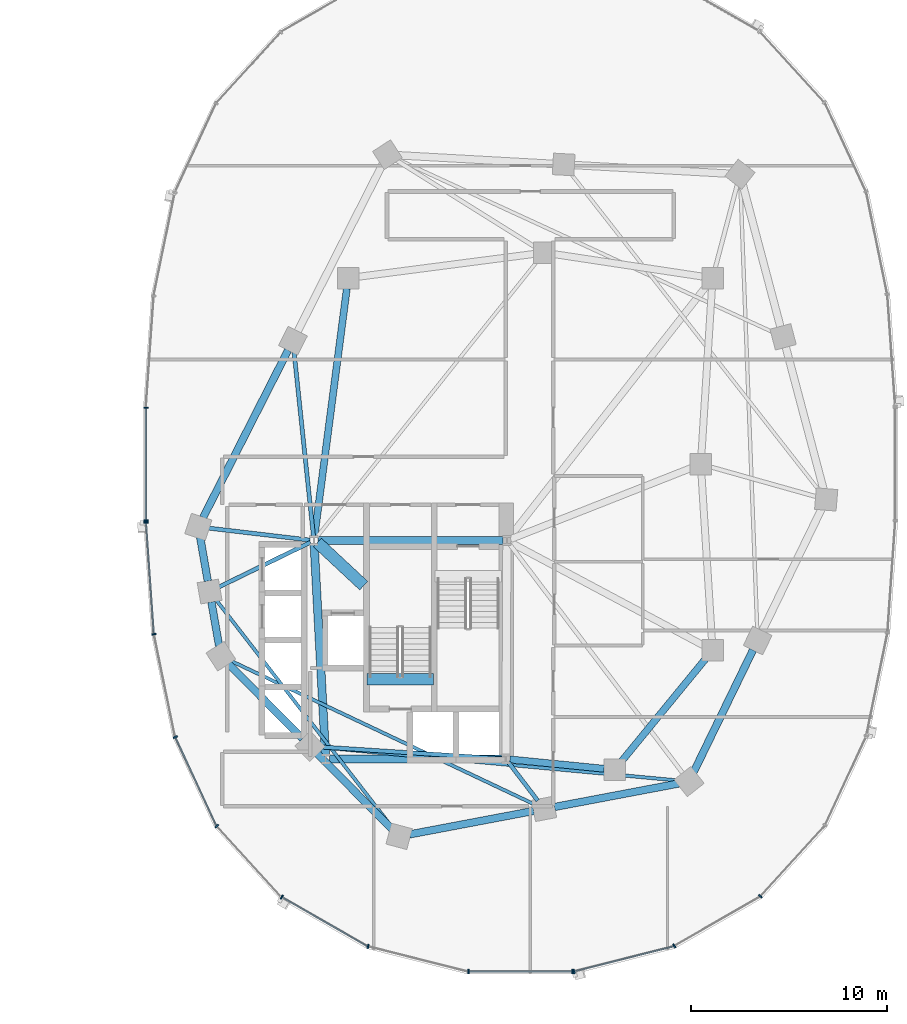
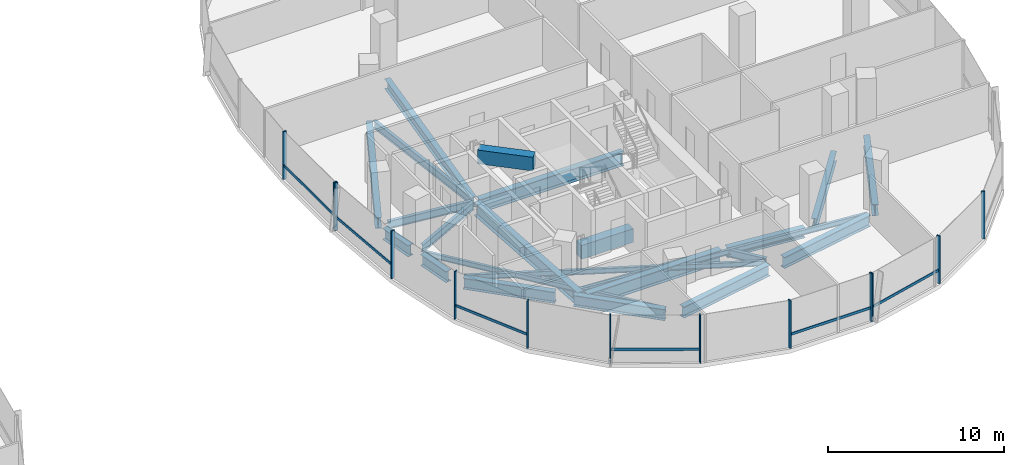
# One storey, part 5 of 21: 24 beams, 19 members, 3 elements without a shape of their own.
"""IFC4 building model written with IfcOpenShell, lengths in metres."""

from ifc_helpers import new_model, si_unit, direction, frame, origin, origin_2d, place, context, subcontext, project, spatial, rectangle, i_section, extrude, material, material_profile, profile_set, type_object, element, aggregate, save


model = new_model("IFC4")

# Units and contexts
model_context = context("Model", 3, precision=1e-05, world=origin(), true_north=direction((0.0, 1.0)))
body_context = subcontext(model_context, "Body", "Model", "MODEL_VIEW")
ifc_project = project(units=[si_unit("LENGTHUNIT", "METRE"), si_unit("AREAUNIT", "SQUARE_METRE"), si_unit("VOLUMEUNIT", "CUBIC_METRE"), si_unit("PLANEANGLEUNIT", "RADIAN"), si_unit("MASSUNIT", "GRAM", prefix="KILO"), si_unit("THERMODYNAMICTEMPERATUREUNIT", "KELVIN"), si_unit("POWERUNIT", "WATT")], contexts=[model_context])

# Site, building, storey
site_placement = place(None, origin())
site = spatial("IfcSite", under=ifc_project, at=site_placement, CompositionType="ELEMENT")
building_placement = place(site_placement, origin())
building = spatial("IfcBuilding", under=site, at=building_placement, Name="Cundina Bronze Exchange", CompositionType="ELEMENT")
storey_placement = place(building_placement, frame((0.0, 0.0, 117.800048828125)))
storey = spatial("IfcBuildingStorey", under=building, at=storey_placement, Name="L30", CompositionType="ELEMENT", Elevation=117.800048828125)

# Beams
ifc_material_1 = material(Name="Concrete C60/75", Category="concrete")
ifc_material_profile_1 = material_profile(ifc_material_1, rectangle(XDim=0.60009765625, YDim=0.949951171875, at=origin_2d()), Name="RC600X950", Category="concrete")
ifc_profile_set_1 = profile_set([ifc_material_profile_1], Name="Concrete C60/75")
beam_type_1 = type_object("IfcBeamType", Name="BM-COUP-RC950", PredefinedType="LINTEL", material=ifc_profile_set_1)
beam_1_placement = place(storey_placement, frame((24.159912109375, -10.97998046875, -0.47509765625), z_axis=(1.0, 0.0, 0.0), x_axis=(0.0, 1.0, 0.0)))
element("IfcBeam", 1, at=beam_1_placement, inside=storey, type_object=beam_type_1, Name="L30 Stair E2 Landing Header Beam", PredefinedType="LINTEL", context=body_context, shape_type="SweptSolid", body=[
    extrude(rectangle(XDim=0.60009765625, YDim=0.949951171875, at=origin_2d()), origin(), (0.0, 0.0, 1.0), 3.400146484375),
])
beam_2_placement = place(storey_placement, frame((21.6298828125, -4.0, 2.824951171875), z_axis=(0.731490439815, -0.681851696822, 0.0), x_axis=(0.681851696822, 0.731490439815, 0.0)))
element("IfcBeam", 2, at=beam_2_placement, inside=storey, type_object=beam_type_1, Name="L30 E Core Shear Coupling Lintel Beam", PredefinedType="LINTEL", context=body_context, shape_type="SweptSolid", body=[
    extrude(rectangle(XDim=0.60009765625, YDim=0.949951171875, at=origin_2d()), origin(), (0.0, 0.0, 1.0), 3.226318359375),
])
ifc_material_2 = material(Name="Steel ASTM A992 Grade 50", Category="steel")
ifc_material_profile_2 = material_profile(ifc_material_2, i_section(OverallWidth=0.2099609375, OverallDepth=0.532958984375, WebThickness=0.01025390625, FlangeThickness=0.015625, FilletRadius=0.013916015625, at=origin_2d()), Name="W21X62", Category="steel")
ifc_profile_set_2 = profile_set([ifc_material_profile_2], Name="Steel ASTM A992 Grade 50")
beam_type_2 = type_object("IfcBeamType", Name="BM-FLR-W21B", PredefinedType="BEAM", material=ifc_profile_set_2)
beam_3_placement = place(storey_placement, frame((21.247314453125, -3.8759765625, -0.566650390625), z_axis=(-0.993035701683, 0.117813815752, 0.0), x_axis=(-0.117813815752, -0.993035701683, 0.0)))
element("IfcBeam", 3, at=beam_3_placement, inside=storey, type_object=beam_type_2, Name="L30 Leg E Chordal Floor Beam 00", PredefinedType="BEAM", context=body_context, shape_type="SweptSolid", body=[
    extrude(i_section(OverallWidth=0.2099609375, OverallDepth=0.532958984375, WebThickness=0.01025390625, FlangeThickness=0.015625, FilletRadius=0.013916015625, at=origin_2d()), origin(), (0.0, 0.0, 1.0), 5.19921875),
])
beam_4_placement = place(storey_placement, frame((21.2666015625, -3.989501953125, -0.566650390625), z_axis=(-0.898607246385, -0.438753936443, 0.0), x_axis=(0.438753936443, -0.898607246385, 0.0)))
element("IfcBeam", 4, at=beam_4_placement, inside=storey, type_object=beam_type_2, Name="L30 Leg E Chordal Floor Beam 01", PredefinedType="BEAM", context=body_context, shape_type="SweptSolid", body=[
    extrude(i_section(OverallWidth=0.2099609375, OverallDepth=0.532958984375, WebThickness=0.01025390625, FlangeThickness=0.015625, FilletRadius=0.013916015625, at=origin_2d()), origin(), (0.0, 0.0, 1.0), 5.183837890625),
])
beam_5_placement = place(storey_placement, frame((31.04638671875, -15.036865234375, -0.566650390625), z_axis=(-0.997892901568, 0.064882640211, 0.0), x_axis=(-0.064882640211, -0.997892901568, 0.0)))
element("IfcBeam", 5, at=beam_5_placement, inside=storey, type_object=beam_type_2, Name="L30 Leg E Chordal Floor Beam 03", PredefinedType="BEAM", context=body_context, shape_type="SweptSolid", body=[
    extrude(i_section(OverallWidth=0.2099609375, OverallDepth=0.532958984375, WebThickness=0.01025390625, FlangeThickness=0.015625, FilletRadius=0.013916015625, at=origin_2d()), origin(), (0.0, 0.0, 1.0), 9.279052734375),
])
beam_6_placement = place(storey_placement, frame((31.373779296875, -15.2119140625, -0.566650390625), z_axis=(0.607490490457, -0.79432695032, 0.0), x_axis=(0.79432695032, 0.607490490457, 0.0)))
element("IfcBeam", 6, at=beam_6_placement, inside=storey, type_object=beam_type_2, Name="L30 Leg E Chordal Floor Beam 05", PredefinedType="BEAM", context=body_context, shape_type="SweptSolid", body=[
    extrude(i_section(OverallWidth=0.2099609375, OverallDepth=0.532958984375, WebThickness=0.01025390625, FlangeThickness=0.015625, FilletRadius=0.013916015625, at=origin_2d()), origin(), (0.0, 0.0, 1.0), 2.46826171875),
])
beam_7_placement = place(storey_placement, frame((21.4287109375, -3.697021484375, -0.566650390625), z_axis=(-0.104822364957, 0.994490961148, 0.0), x_axis=(-0.994490961148, -0.104822364957, 0.0)))
element("IfcBeam", 7, at=beam_7_placement, inside=storey, type_object=beam_type_2, Name="L30 Leg E Chordal Floor Beam 13", PredefinedType="BEAM", context=body_context, shape_type="SweptSolid", body=[
    extrude(i_section(OverallWidth=0.2099609375, OverallDepth=0.532958984375, WebThickness=0.01025390625, FlangeThickness=0.015625, FilletRadius=0.013916015625, at=origin_2d()), origin(), (0.0, 0.0, 1.0), 9.514404296875),
])
ifc_material_profile_3 = material_profile(ifc_material_2, i_section(OverallWidth=0.172119140625, OverallDepth=0.35791015625, WebThickness=0.0078125, FlangeThickness=0.01318359375, FilletRadius=0.010009765625, at=origin_2d()), Name="W14X38", Category="steel")
ifc_profile_set_3 = profile_set([ifc_material_profile_3], Name="Steel ASTM A992 Grade 50")
beam_type_3 = type_object("IfcBeamType", Name="BM-JST-W14", PredefinedType="JOIST", material=ifc_profile_set_3)
beam_8_placement = place(storey_placement, frame((16.454345703125, -6.92529296875, -0.47900390625), z_axis=(0.612065218806, -0.790807288742, 0.0), x_axis=(0.790807288742, 0.612065218806, 0.0)))
element("IfcBeam", 8, at=beam_8_placement, inside=storey, type_object=beam_type_3, Name="L30 Leg E Lobe Floor Joist 01-04", PredefinedType="JOIST", context=body_context, shape_type="SweptSolid", body=[
    extrude(i_section(OverallWidth=0.172119140625, OverallDepth=0.35791015625, WebThickness=0.0078125, FlangeThickness=0.01318359375, FilletRadius=0.010009765625, at=origin_2d()), origin(), (0.0, 0.0, 1.0), 14.73095703125),
])
beam_9_placement = place(storey_placement, frame((17.186279296875, -10.02978515625, -0.47900390625), z_axis=(0.904069270633, -0.427385954259, 0.0), x_axis=(0.427385954259, 0.904069270633, 0.0)))
element("IfcBeam", 9, at=beam_9_placement, inside=storey, type_object=beam_type_3, Name="L30 Leg E Lobe Floor Joist 02-05", PredefinedType="JOIST", context=body_context, shape_type="SweptSolid", body=[
    extrude(i_section(OverallWidth=0.172119140625, OverallDepth=0.35791015625, WebThickness=0.0078125, FlangeThickness=0.01318359375, FilletRadius=0.010009765625, at=origin_2d()), origin(), (0.0, 0.0, 1.0), 17.175048828125),
])
beam_10_placement = place(storey_placement, frame((21.78564453125, -14.44970703125, -0.47900390625), z_axis=(0.995700674022, -0.092629194921, 0.0), x_axis=(0.092629194921, 0.995700674022, 0.0)))
element("IfcBeam", 10, at=beam_10_placement, inside=storey, type_object=beam_type_3, Name="L30 Leg E Lobe Floor Joist 03-06", PredefinedType="JOIST", context=body_context, shape_type="SweptSolid", body=[
    extrude(i_section(OverallWidth=0.172119140625, OverallDepth=0.35791015625, WebThickness=0.0078125, FlangeThickness=0.01318359375, FilletRadius=0.010009765625, at=origin_2d()), origin(), (0.0, 0.0, 1.0), 18.357421875),
])
ifc_material_profile_4 = material_profile(ifc_material_2, i_section(OverallWidth=0.35498046875, OverallDepth=0.695068359375, WebThickness=0.015380859375, FlangeThickness=0.02490234375, FilletRadius=0.01806640625, at=origin_2d()), Name="W27X146", Category="steel")
ifc_profile_set_4 = profile_set([ifc_material_profile_4], Name="Steel ASTM A992 Grade 50")
beam_type_4 = type_object("IfcBeamType", Name="BM-RING-W27", PredefinedType="USERDEFINED", material=ifc_profile_set_4)
beam_11_placement = place(storey_placement, frame((31.452880859375, -15.070068359375, -0.6474609375), z_axis=(0.995126271817, -0.098608839051, 0.0), x_axis=(0.098608839051, 0.995126271817, 0.0)))
element("IfcBeam", 11, at=beam_11_placement, inside=storey, type_object=beam_type_4, Name="L30 E Inner Structural Ring Girder 01", ObjectType="GIRDER", PredefinedType="USERDEFINED", context=body_context, shape_type="SweptSolid", body=[
    extrude(i_section(OverallWidth=0.35498046875, OverallDepth=0.695068359375, WebThickness=0.015380859375, FlangeThickness=0.02490234375, FilletRadius=0.01806640625, at=origin_2d()), origin(), (0.0, 0.0, 1.0), 4.83544921875),
])
beam_12_placement = place(storey_placement, frame((37.14111328125, -15.183837890625, -0.6474609375), z_axis=(0.633926549035, 0.773393257295, 0.0), x_axis=(-0.773393257295, 0.633926549035, 0.0)))
element("IfcBeam", 12, at=beam_12_placement, inside=storey, type_object=beam_type_4, Name="L30 E Inner Structural Ring Girder 02", ObjectType="GIRDER", PredefinedType="USERDEFINED", context=body_context, shape_type="SweptSolid", body=[
    extrude(i_section(OverallWidth=0.35498046875, OverallDepth=0.695068359375, WebThickness=0.015380859375, FlangeThickness=0.02490234375, FilletRadius=0.01806640625, at=origin_2d()), origin(), (0.0, 0.0, 1.0), 6.811279296875),
])
beam_13_placement = place(storey_placement, frame((23.13037109375, 8.966552734375, -0.6474609375), z_axis=(-0.129507526533, -0.99157843894, 0.0), x_axis=(0.99157843894, -0.129507526533, 0.0)))
element("IfcBeam", 13, at=beam_13_placement, inside=storey, type_object=beam_type_4, Name="L30 E Inner Structural Ring Girder 07", ObjectType="GIRDER", PredefinedType="USERDEFINED", context=body_context, shape_type="SweptSolid", body=[
    extrude(i_section(OverallWidth=0.35498046875, OverallDepth=0.695068359375, WebThickness=0.015380859375, FlangeThickness=0.02490234375, FilletRadius=0.01806640625, at=origin_2d()), origin(), (0.0, 0.0, 1.0), 12.77197265625),
])
ifc_material_profile_5 = material_profile(ifc_material_2, i_section(OverallWidth=0.381103515625, OverallDepth=0.77294921875, WebThickness=0.0166015625, FlangeThickness=0.027099609375, FilletRadius=0.01904296875, at=origin_2d()), Name="W30X173", Category="steel")
ifc_profile_set_5 = profile_set([ifc_material_profile_5], Name="Steel ASTM A992 Grade 50")
beam_type_5 = type_object("IfcBeamType", Name="BM-RING-W30", PredefinedType="USERDEFINED", material=ifc_profile_set_5)
for number, where, z_axis, x_axis, name in (
    (14, (15.642333984375, -3.72998046875, -0.6865234375), (0.171690078326, -0.985151012284, 0.0), (0.985151012284, 0.171690078326, 0.0), "L30 E Perimeter Ring Girder 00"),
    (15, (16.21728515625, -7.030029296875, -0.6865234375), (0.171690078326, -0.985151012284, 0.0), (0.985151012284, 0.171690078326, 0.0), "L30 E Perimeter Ring Girder 01"),
):
    element("IfcBeam", number, at=place(storey_placement, frame(where, z_axis=z_axis, x_axis=x_axis)), inside=storey, type_object=beam_type_5, Name=name, ObjectType="GIRDER", PredefinedType="USERDEFINED", context=body_context, shape_type="SweptSolid", body=[
        extrude(i_section(OverallWidth=0.381103515625, OverallDepth=0.77294921875, WebThickness=0.0166015625, FlangeThickness=0.027099609375, FilletRadius=0.01904296875, at=origin_2d()), origin(), (0.0, 0.0, 1.0), 2.273681640625),
    ])
for number, where, z_axis, x_axis, name in (
    (16, (17.078369140625, -10.1826171875, -0.6865234375), (0.703226342126, -0.7109660412, 0.0), (0.7109660412, 0.703226342126, 0.0), "L30 E Perimeter Ring Girder 02"),
    (17, (21.62841796875, -14.782470703125, -0.6865234375), (0.703226342126, -0.7109660412, 0.0), (0.7109660412, 0.703226342126, 0.0), "L30 E Perimeter Ring Girder 03"),
):
    element("IfcBeam", number, at=place(storey_placement, frame(where, z_axis=z_axis, x_axis=x_axis)), inside=storey, type_object=beam_type_5, Name=name, ObjectType="GIRDER", PredefinedType="USERDEFINED", context=body_context, shape_type="SweptSolid", body=[
        extrude(i_section(OverallWidth=0.381103515625, OverallDepth=0.77294921875, WebThickness=0.0166015625, FlangeThickness=0.027099609375, FilletRadius=0.01904296875, at=origin_2d()), origin(), (0.0, 0.0, 1.0), 5.39404296875),
    ])
for number, where, z_axis, x_axis, name in (
    (18, (26.32861328125, -18.89990234375, -0.6865234375), (0.98257117919, 0.185886733861, 0.0), (-0.185886733861, 0.98257117919, 0.0), "L30 E Perimeter Ring Girder 04"),
    (19, (33.728515625, -17.5, -0.6865234375), (0.98257117919, 0.185886733861, 0.0), (-0.185886733861, 0.98257117919, 0.0), "L30 E Perimeter Ring Girder 05"),
):
    element("IfcBeam", number, at=place(storey_placement, frame(where, z_axis=z_axis, x_axis=x_axis)), inside=storey, type_object=beam_type_5, Name=name, ObjectType="GIRDER", PredefinedType="USERDEFINED", context=body_context, shape_type="SweptSolid", body=[
        extrude(i_section(OverallWidth=0.381103515625, OverallDepth=0.77294921875, WebThickness=0.0166015625, FlangeThickness=0.027099609375, FilletRadius=0.01904296875, at=origin_2d()), origin(), (0.0, 0.0, 1.0), 6.455322265625),
    ])
beam_14_placement = place(storey_placement, frame((40.835205078125, -15.716064453125, -0.6865234375), z_axis=(0.437193894283, 0.899367276924, 0.0), x_axis=(-0.899367276924, 0.437193894283, 0.0)))
element("IfcBeam", 20, at=beam_14_placement, inside=storey, type_object=beam_type_5, Name="L30 E Perimeter Ring Girder 06", ObjectType="GIRDER", PredefinedType="USERDEFINED", context=body_context, shape_type="SweptSolid", body=[
    extrude(i_section(OverallWidth=0.381103515625, OverallDepth=0.77294921875, WebThickness=0.0166015625, FlangeThickness=0.027099609375, FilletRadius=0.01904296875, at=origin_2d()), origin(), (0.0, 0.0, 1.0), 6.929443359375),
])
beam_15_placement = place(storey_placement, frame((20.13134765625, 5.8203125, -0.6865234375), z_axis=(-0.452832332744, -0.891595692241, 0.0), x_axis=(0.891595692241, -0.452832332744, 0.0)))
element("IfcBeam", 21, at=beam_15_placement, inside=storey, type_object=beam_type_5, Name="L30 E Perimeter Ring Girder 13", ObjectType="GIRDER", PredefinedType="USERDEFINED", context=body_context, shape_type="SweptSolid", body=[
    extrude(i_section(OverallWidth=0.381103515625, OverallDepth=0.77294921875, WebThickness=0.0166015625, FlangeThickness=0.027099609375, FilletRadius=0.01904296875, at=origin_2d()), origin(), (0.0, 0.0, 1.0), 9.578857421875),
])
ifc_material_profile_6 = material_profile(ifc_material_2, i_section(OverallWidth=0.41796875, OverallDepth=0.927001953125, WebThickness=0.019287109375, FlangeThickness=0.031982421875, FilletRadius=0.02392578125, at=origin_2d()), Name="W36X231", Category="steel")
ifc_profile_set_6 = profile_set([ifc_material_profile_6], Name="Steel ASTM A992 Grade 50")
beam_type_6 = type_object("IfcBeamType", Name="BM-WRN-W36B", PredefinedType="USERDEFINED", material=ifc_profile_set_6)
beam_16_placement = place(storey_placement, frame((31.095947265625, -3.89990234375, -0.763427734375), z_axis=(-1.0, 0.0, 0.0), x_axis=(0.0, -1.0, 0.0)))
element("IfcBeam", 22, at=beam_16_placement, inside=storey, type_object=beam_type_6, Name="L30 E Core Perimeter Tie Girder 1", ObjectType="GIRDER", PredefinedType="USERDEFINED", context=body_context, shape_type="SweptSolid", body=[
    extrude(i_section(OverallWidth=0.41796875, OverallDepth=0.927001953125, WebThickness=0.019287109375, FlangeThickness=0.031982421875, FilletRadius=0.02392578125, at=origin_2d()), origin(), (0.0, 0.0, 1.0), 9.44189453125),
])
beam_17_placement = place(storey_placement, frame((21.4609375, -4.103759765625, -0.763427734375), z_axis=(0.053739193498, -0.998555005537, 0.0), x_axis=(0.998555005537, 0.053739193498, 0.0)))
element("IfcBeam", 23, at=beam_17_placement, inside=storey, type_object=beam_type_6, Name="L30 E Core Perimeter Tie Girder 2", ObjectType="GIRDER", PredefinedType="USERDEFINED", context=body_context, shape_type="SweptSolid", body=[
    extrude(i_section(OverallWidth=0.41796875, OverallDepth=0.927001953125, WebThickness=0.019287109375, FlangeThickness=0.031982421875, FilletRadius=0.02392578125, at=origin_2d()), origin(), (0.0, 0.0, 1.0), 10.758056640625),
])
beam_18_placement = place(storey_placement, frame((22.25390625, -15.050048828125, -0.763427734375), z_axis=(1.0, 0.0, 0.0), x_axis=(0.0, 1.0, 0.0)))
element("IfcBeam", 24, at=beam_18_placement, inside=storey, type_object=beam_type_6, Name="L30 E Core Perimeter Tie Girder 3", ObjectType="GIRDER", PredefinedType="USERDEFINED", context=body_context, shape_type="SweptSolid", body=[
    extrude(i_section(OverallWidth=0.41796875, OverallDepth=0.927001953125, WebThickness=0.019287109375, FlangeThickness=0.031982421875, FilletRadius=0.02392578125, at=origin_2d()), origin(), (0.0, 0.0, 1.0), 8.7919921875),
])

# Curtain wall, members
ifc_material_3 = material(Name="Anodised Bronze Aluminium 6063-T6", Category="aluminium")
curtain_wall_type = type_object("IfcCurtainWallType", Name="CWS-TRD-MID", PredefinedType="NOTDEFINED", material=ifc_material_3)
curtain_wall_1_placement = place(storey_placement, origin())
curtain_wall_1 = element("IfcCurtainWall", 25, at=curtain_wall_1_placement, inside=storey, type_object=curtain_wall_type, Name="L30 CW-03 Curtain Wall Run CWR-L30-E2", PredefinedType="NOTDEFINED")
ifc_material_profile_7 = material_profile(ifc_material_3, rectangle(XDim=0.074951171875, YDim=0.219970703125, at=origin_2d()), Name="AL75X220", Category="aluminium")
ifc_profile_set_7 = profile_set([ifc_material_profile_7], Name="Anodised Bronze Aluminium 6063-T6")
member_type_1 = type_object("IfcMemberType", Name="CWM-MUL-220", PredefinedType="MULLION", material=ifc_profile_set_7)
member_1_placement = place(storey_placement, frame((12.8720703125, 2.880615234375, 0.0), z_axis=(0.0, 0.0, 1.0), x_axis=(0.0, -1.0, 0.0)))
member_1 = element("IfcMember", 26, at=member_1_placement, type_object=member_type_1, Name="CW-03 Mullion 7", PredefinedType="MULLION", context=body_context, shape_type="SweptSolid", body=[
    extrude(rectangle(XDim=0.074951171875, YDim=0.219970703125, at=origin_2d()), origin(), (0.0, 0.0, 1.0), 3.300048828125),
])
member_2_placement = place(storey_placement, frame((12.8720703125, -2.880615234375, 0.0), z_axis=(0.0, 0.0, 1.0), x_axis=(0.0, -1.0, 0.0)))
member_2 = element("IfcMember", 27, at=member_2_placement, type_object=member_type_1, Name="CW-03 End Mullion", PredefinedType="MULLION", context=body_context, shape_type="SweptSolid", body=[
    extrude(rectangle(XDim=0.074951171875, YDim=0.219970703125, at=origin_2d()), origin(), (0.0, 0.0, 1.0), 3.300048828125),
])

curtain_wall_2_placement = place(storey_placement, origin())
curtain_wall_2 = element("IfcCurtainWall", 28, at=curtain_wall_2_placement, inside=storey, type_object=curtain_wall_type, Name="L30 CW-03 Curtain Wall Run CWR-L30-E3", PredefinedType="NOTDEFINED")
member_3_placement = place(storey_placement, frame((12.87548828125, -2.976318359375, 0.0), z_axis=(0.0, 0.0, 1.0), x_axis=(0.070278787473, -0.997527389113, 0.0)))
member_3 = element("IfcMember", 29, at=member_3_placement, type_object=member_type_1, Name="CW-03 Mullion 1", PredefinedType="MULLION", context=body_context, shape_type="SweptSolid", body=[
    extrude(rectangle(XDim=0.074951171875, YDim=0.219970703125, at=origin_2d()), origin(), (0.0, 0.0, 1.0), 3.300048828125),
])
member_4_placement = place(storey_placement, frame((13.282958984375, -8.67822265625, 0.0), z_axis=(0.0, 0.0, 1.0), x_axis=(0.201419845156, -0.979505000486, 0.0)))
member_4 = element("IfcMember", 30, at=member_4_placement, type_object=member_type_1, Name="CW-03 Mullion 2", PredefinedType="MULLION", context=body_context, shape_type="SweptSolid", body=[
    extrude(rectangle(XDim=0.074951171875, YDim=0.219970703125, at=origin_2d()), origin(), (0.0, 0.0, 1.0), 3.300048828125),
])
member_5_placement = place(storey_placement, frame((14.3720703125, -13.931884765625, 0.0), z_axis=(0.0, 0.0, 1.0), x_axis=(0.42087749791, -0.907117485088, 0.0)))
member_5 = element("IfcMember", 31, at=member_5_placement, type_object=member_type_1, Name="CW-03 Mullion 3", PredefinedType="MULLION", context=body_context, shape_type="SweptSolid", body=[
    extrude(rectangle(XDim=0.074951171875, YDim=0.219970703125, at=origin_2d()), origin(), (0.0, 0.0, 1.0), 3.300048828125),
])
member_6_placement = place(storey_placement, frame((16.491455078125, -18.47705078125, 0.0), z_axis=(0.0, 0.0, 1.0), x_axis=(0.674302387584, -0.738455340626, 0.0)))
member_6 = element("IfcMember", 32, at=member_6_placement, type_object=member_type_1, Name="CW-03 Mullion 4", PredefinedType="MULLION", context=body_context, shape_type="SweptSolid", body=[
    extrude(rectangle(XDim=0.074951171875, YDim=0.219970703125, at=origin_2d()), origin(), (0.0, 0.0, 1.0), 3.300048828125),
])
member_7_placement = place(storey_placement, frame((19.810302734375, -22.097412109375, 0.0), z_axis=(0.0, 0.0, 1.0), x_axis=(0.867070701164, -0.498185105339, 0.0)))
member_7 = element("IfcMember", 33, at=member_7_placement, type_object=member_type_1, Name="CW-03 Mullion 5", PredefinedType="MULLION", context=body_context, shape_type="SweptSolid", body=[
    extrude(rectangle(XDim=0.074951171875, YDim=0.219970703125, at=origin_2d()), origin(), (0.0, 0.0, 1.0), 3.300048828125),
])
member_8_placement = place(storey_placement, frame((24.21484375, -24.61669921875, 0.0), z_axis=(0.0, 0.0, 1.0), x_axis=(0.969488149345, -0.245138182011, 0.0)))
member_8 = element("IfcMember", 34, at=member_8_placement, type_object=member_type_1, Name="CW-03 Mullion 6", PredefinedType="MULLION", context=body_context, shape_type="SweptSolid", body=[
    extrude(rectangle(XDim=0.074951171875, YDim=0.219970703125, at=origin_2d()), origin(), (0.0, 0.0, 1.0), 3.300048828125),
])
member_9_placement = place(storey_placement, frame((29.345458984375, -25.905029296875, 0.0), z_axis=(0.0, 0.0, 1.0), x_axis=(1.0, 0.0, 0.0)))
member_9 = element("IfcMember", 35, at=member_9_placement, type_object=member_type_1, Name="CW-03 Mullion 7", PredefinedType="MULLION", context=body_context, shape_type="SweptSolid", body=[
    extrude(rectangle(XDim=0.074951171875, YDim=0.219970703125, at=origin_2d()), origin(), (0.0, 0.0, 1.0), 3.300048828125),
])
member_10_placement = place(storey_placement, frame((34.654541015625, -25.905029296875, 0.0), z_axis=(0.0, 0.0, 1.0), x_axis=(1.0, 0.0, 0.0)))
member_10 = element("IfcMember", 36, at=member_10_placement, type_object=member_type_1, Name="CW-03 End Mullion", PredefinedType="MULLION", context=body_context, shape_type="SweptSolid", body=[
    extrude(rectangle(XDim=0.074951171875, YDim=0.219970703125, at=origin_2d()), origin(), (0.0, 0.0, 1.0), 3.300048828125),
])

curtain_wall_3_placement = place(storey_placement, origin())
curtain_wall_3 = element("IfcCurtainWall", 37, at=curtain_wall_3_placement, inside=storey, type_object=curtain_wall_type, Name="L30 CW-03 Curtain Wall Run CWR-L30-E4", PredefinedType="NOTDEFINED")
member_11_placement = place(storey_placement, frame((34.72607421875, -25.89599609375, 0.0), z_axis=(0.0, 0.0, 1.0), x_axis=(0.969488149345, 0.245138182011, 0.0)))
member_11 = element("IfcMember", 38, at=member_11_placement, type_object=member_type_1, Name="CW-03 Mullion 1", PredefinedType="MULLION", context=body_context, shape_type="SweptSolid", body=[
    extrude(rectangle(XDim=0.074951171875, YDim=0.219970703125, at=origin_2d()), origin(), (0.0, 0.0, 1.0), 3.300048828125),
])
member_12_placement = place(storey_placement, frame((39.848876953125, -24.591064453125, 0.0), z_axis=(0.0, 0.0, 1.0), x_axis=(0.867070701164, 0.498185105339, 0.0)))
member_12 = element("IfcMember", 39, at=member_12_placement, type_object=member_type_1, Name="CW-03 Mullion 2", PredefinedType="MULLION", context=body_context, shape_type="SweptSolid", body=[
    extrude(rectangle(XDim=0.074951171875, YDim=0.219970703125, at=origin_2d()), origin(), (0.0, 0.0, 1.0), 3.300048828125),
])
member_13_placement = place(storey_placement, frame((44.239501953125, -22.0576171875, 0.0), z_axis=(0.0, 0.0, 1.0), x_axis=(0.674302387584, 0.738455340626, 0.0)))
member_13 = element("IfcMember", 40, at=member_13_placement, type_object=member_type_1, Name="CW-03 Mullion 3", PredefinedType="MULLION", context=body_context, shape_type="SweptSolid", body=[
    extrude(rectangle(XDim=0.074951171875, YDim=0.219970703125, at=origin_2d()), origin(), (0.0, 0.0, 1.0), 3.300048828125),
])

# Member
ifc_material_profile_8 = material_profile(ifc_material_3, rectangle(XDim=0.070068359375, YDim=0.179931640625, at=origin_2d()), Name="AL70X180", Category="aluminium")
ifc_profile_set_8 = profile_set([ifc_material_profile_8], Name="Anodised Bronze Aluminium 6063-T6")
member_type_2 = type_object("IfcMemberType", Name="CWM-TRN-180", PredefinedType="USERDEFINED", material=ifc_profile_set_8)
member_14_placement = place(storey_placement, frame((12.8720703125, 2.839111328125, 0.919921875), z_axis=(0.0, -1.0, 0.0), x_axis=(1.0, 0.0, 0.0)))
member_14 = element("IfcMember", 41, at=member_14_placement, type_object=member_type_2, Name="CW-03 Spandrel Transom 7", ObjectType="TRANSOM", PredefinedType="USERDEFINED", context=body_context, shape_type="SweptSolid", body=[
    extrude(rectangle(XDim=0.070068359375, YDim=0.179931640625, at=origin_2d()), origin(), (0.0, 0.0, 1.0), 5.67822265625),
])

aggregate(curtain_wall_1, [member_1, member_2, member_14])

member_15_placement = place(storey_placement, frame((12.87841796875, -3.017333984375, 0.919921875), z_axis=(0.070260714471, -0.997528662246, 0.0), x_axis=(0.997528662246, 0.070260714471, 0.0)))
member_15 = element("IfcMember", 42, at=member_15_placement, type_object=member_type_2, Name="CW-03 Spandrel Transom 1", ObjectType="TRANSOM", PredefinedType="USERDEFINED", context=body_context, shape_type="SweptSolid", body=[
    extrude(rectangle(XDim=0.070068359375, YDim=0.179931640625, at=origin_2d()), origin(), (0.0, 0.0, 1.0), 5.629150390625),
])

member_16_placement = place(storey_placement, frame((14.389404296875, -13.96923828125, 0.919921875), z_axis=(0.420811422796, -0.907148139195, 0.0), x_axis=(0.907148139195, 0.420811422796, 0.0)))
member_16 = element("IfcMember", 43, at=member_16_placement, type_object=member_type_2, Name="CW-03 Spandrel Transom 3", ObjectType="TRANSOM", PredefinedType="USERDEFINED", context=body_context, shape_type="SweptSolid", body=[
    extrude(rectangle(XDim=0.070068359375, YDim=0.179931640625, at=origin_2d()), origin(), (0.0, 0.0, 1.0), 4.95166015625),
])

member_17_placement = place(storey_placement, frame((19.845947265625, -22.117919921875, 0.919921875), z_axis=(0.867097475651, -0.498138502546, 0.0), x_axis=(0.498138502546, 0.867097475651, 0.0)))
member_17 = element("IfcMember", 44, at=member_17_placement, type_object=member_type_2, Name="CW-03 Spandrel Transom 5", ObjectType="TRANSOM", PredefinedType="USERDEFINED", context=body_context, shape_type="SweptSolid", body=[
    extrude(rectangle(XDim=0.070068359375, YDim=0.179931640625, at=origin_2d()), origin(), (0.0, 0.0, 1.0), 5.00634765625),
])

member_18_placement = place(storey_placement, frame((29.38671875, -25.905029296875, 0.919921875), z_axis=(1.0, 0.0, 0.0), x_axis=(0.0, 1.0, 0.0)))
member_18 = element("IfcMember", 45, at=member_18_placement, type_object=member_type_2, Name="CW-03 Spandrel Transom 7", ObjectType="TRANSOM", PredefinedType="USERDEFINED", context=body_context, shape_type="SweptSolid", body=[
    extrude(rectangle(XDim=0.070068359375, YDim=0.179931640625, at=origin_2d()), origin(), (0.0, 0.0, 1.0), 5.2265625),
])

aggregate(curtain_wall_2, [member_3, member_15, member_4, member_5, member_16, member_6, member_7, member_17, member_8, member_9, member_10, member_18])

member_19_placement = place(storey_placement, frame((34.76611328125, -25.885986328125, 0.919921875), z_axis=(0.969483968866, 0.245154714644, 0.0), x_axis=(-0.245154714644, 0.969483968866, 0.0)))
member_19 = element("IfcMember", 46, at=member_19_placement, type_object=member_type_2, Name="CW-03 Spandrel Transom 1", ObjectType="TRANSOM", PredefinedType="USERDEFINED", context=body_context, shape_type="SweptSolid", body=[
    extrude(rectangle(XDim=0.070068359375, YDim=0.179931640625, at=origin_2d()), origin(), (0.0, 0.0, 1.0), 5.21826171875),
])

aggregate(curtain_wall_3, [member_11, member_19, member_12, member_13])

save(model, "model.ifc")
